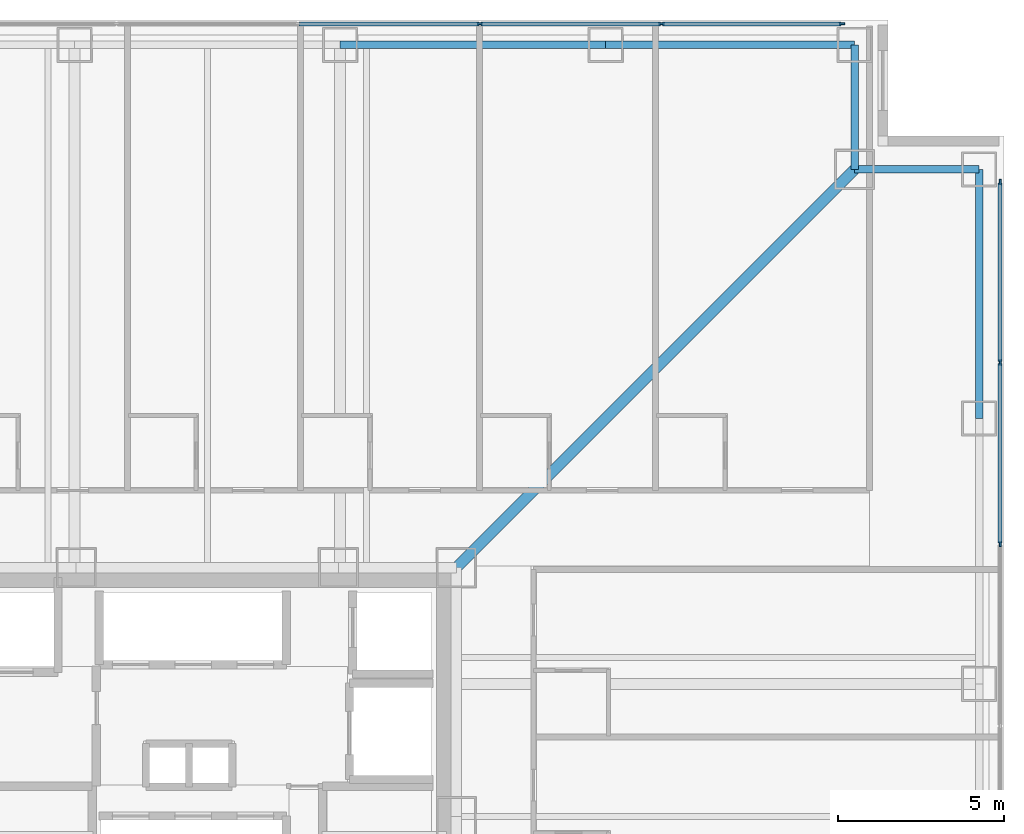
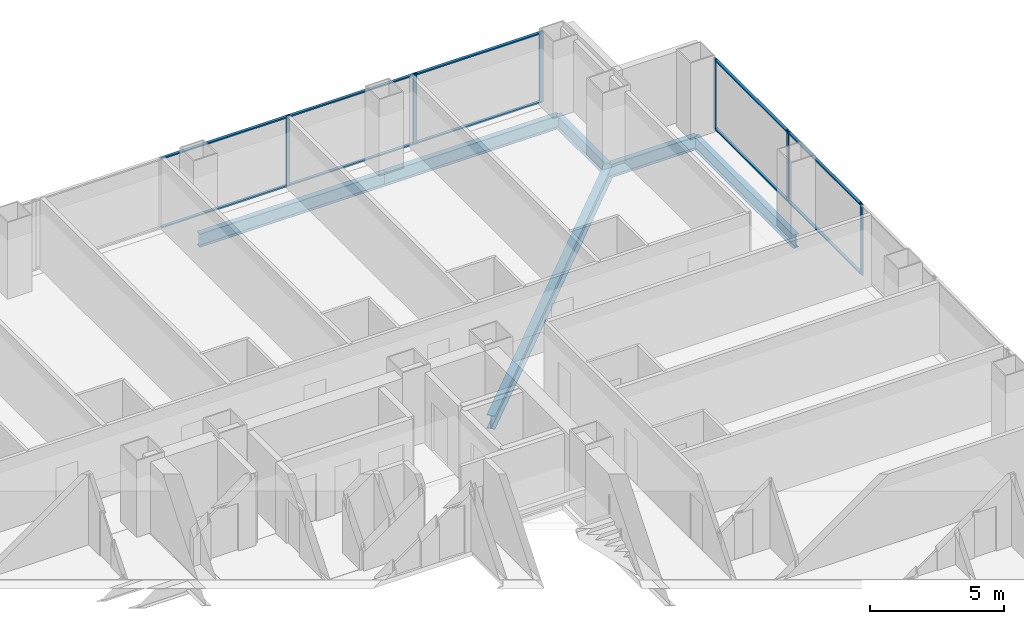
# One storey, part 9 of 16: 16 members, 6 beams, 2 elements without a shape of their own.
"""IFC4 building model written with IfcOpenShell, lengths in metres."""

from ifc_helpers import new_model, si_unit, direction, frame, origin, origin_2d, place, context, subcontext, project, spatial, rectangle, i_section, extrude, material, layer, layer_set, material_profile, profile_set, type_object, element, aggregate, save


model = new_model("IFC4")

# Units and contexts
model_context = context("Model", 3, precision=1e-05, world=origin(), true_north=direction((0.0, 1.0)))
body_context = subcontext(model_context, "Body", "Model", "MODEL_VIEW")
ifc_project = project(units=[si_unit("LENGTHUNIT", "METRE"), si_unit("AREAUNIT", "SQUARE_METRE"), si_unit("VOLUMEUNIT", "CUBIC_METRE"), si_unit("PLANEANGLEUNIT", "RADIAN"), si_unit("MASSUNIT", "GRAM", prefix="KILO")], contexts=[model_context])

# Site, building, storey
site_placement = place(None, origin())
site = spatial("IfcSite", under=ifc_project, at=site_placement, CompositionType="ELEMENT")
building_placement = place(site_placement, origin())
building = spatial("IfcBuilding", under=site, at=building_placement, Name="Trevonay Congress Spire", CompositionType="ELEMENT")
storey_placement = place(building_placement, frame((0.0, 0.0, 72.5)))
storey = spatial("IfcBuildingStorey", under=building, at=storey_placement, Name="L18", CompositionType="ELEMENT", Elevation=72.5)

# Beams
ifc_material_1 = material(Name="Steel ASTM A572 Grade 50", Category="steel")
ifc_material_profile_1 = material_profile(ifc_material_1, i_section(OverallWidth=0.324951171875, OverallDepth=0.615966796875, WebThickness=0.013916015625, FlangeThickness=0.021484375, FilletRadius=0.01806640625, at=origin_2d()), Name="W610x174")
ifc_profile_set_1 = profile_set([ifc_material_profile_1], Name="Steel ASTM A572 Grade 50")
beam_type_1 = type_object("IfcBeamType", Name="BM-GIRD-W610X174", PredefinedType="BEAM", material=ifc_profile_set_1)
beam_1_placement = place(storey_placement, frame((7.5, 7.5, -0.55810546875), z_axis=(0.707106781187, 0.707106781187, 0.0), x_axis=(-0.707106781187, 0.707106781187, 0.0)))
element("IfcBeam", 1, at=beam_1_placement, inside=storey, type_object=beam_type_1, Name="L18 structural beam BM-L18-CDNE", PredefinedType="BEAM", context=body_context, shape_type="SweptSolid", body=[
    extrude(i_section(OverallWidth=0.324951171875, OverallDepth=0.615966796875, WebThickness=0.013916015625, FlangeThickness=0.021484375, FilletRadius=0.01806640625, at=origin_2d()), origin(), (0.0, 0.0, 1.0), 16.970458984375),
])
ifc_material_profile_2 = material_profile(ifc_material_1, i_section(OverallWidth=0.22998046875, OverallDepth=0.616943359375, WebThickness=0.01318359375, FlangeThickness=0.022216796875, FilletRadius=0.01611328125, at=origin_2d()), Name="W610x140")
ifc_profile_set_2 = profile_set([ifc_material_profile_2], Name="Steel ASTM A572 Grade 50")
beam_type_2 = type_object("IfcBeamType", Name="BM-RING-W610X140", PredefinedType="BEAM", material=ifc_profile_set_2)
beam_2_placement = place(storey_placement, frame((4.0, 23.25, -0.55859375), z_axis=(1.0, 0.0, 0.0), x_axis=(0.0, 1.0, 0.0)))
element("IfcBeam", 2, at=beam_2_placement, inside=storey, type_object=beam_type_2, Name="L18 structural beam BM-L18-PN4", PredefinedType="BEAM", context=body_context, shape_type="SweptSolid", body=[
    extrude(i_section(OverallWidth=0.22998046875, OverallDepth=0.616943359375, WebThickness=0.01318359375, FlangeThickness=0.022216796875, FilletRadius=0.01611328125, at=origin_2d()), origin(), (0.0, 0.0, 1.0), 8.0),
])
for number, where, z_axis, x_axis, name in (
    (3, (12.0, 23.25, -0.55859375), (1.0, 0.0, 0.0), (0.0, 1.0, 0.0), "L18 structural beam BM-L18-PN5"),
    (4, (23.25, 12.0, -0.55859375), (0.0, 1.0, 0.0), (-1.0, 0.0, 0.0), "L18 structural beam BM-L18-PE5"),
):
    element("IfcBeam", number, at=place(storey_placement, frame(where, z_axis=z_axis, x_axis=x_axis)), inside=storey, type_object=beam_type_2, Name=name, PredefinedType="BEAM", context=body_context, shape_type="SweptSolid", body=[
        extrude(i_section(OverallWidth=0.22998046875, OverallDepth=0.616943359375, WebThickness=0.01318359375, FlangeThickness=0.022216796875, FilletRadius=0.01611328125, at=origin_2d()), origin(), (0.0, 0.0, 1.0), 7.5),
    ])
for number, where, z_axis, x_axis, name in (
    (5, (19.5, 23.25, -0.55859375), (0.0, -1.0, 0.0), (1.0, 0.0, 0.0), "L18 structural beam BM-L18-N1NE"),
    (6, (23.25, 19.5, -0.55859375), (-1.0, 0.0, 0.0), (0.0, -1.0, 0.0), "L18 structural beam BM-L18-N2NE"),
):
    element("IfcBeam", number, at=place(storey_placement, frame(where, z_axis=z_axis, x_axis=x_axis)), inside=storey, type_object=beam_type_2, Name=name, PredefinedType="BEAM", context=body_context, shape_type="SweptSolid", body=[
        extrude(i_section(OverallWidth=0.22998046875, OverallDepth=0.616943359375, WebThickness=0.01318359375, FlangeThickness=0.022216796875, FilletRadius=0.01611328125, at=origin_2d()), origin(), (0.0, 0.0, 1.0), 3.75),
    ])

# Curtain wall, members
ifc_material_2 = material(Name="Pale Anodised Aluminium EN AW-6063-T6", Category="aluminium")
ifc_layer = layer(ifc_material_2, 0.179931640625, Name="Pale Anodised Aluminium EN AW-6063-T6")
ifc_layer_set = layer_set([ifc_layer], Name="Pale Anodised Aluminium EN AW-6063-T6")
curtain_wall_type = type_object("IfcCurtainWallType", Name="CW-SYS02-HOTEL-PALE-METAL", PredefinedType="NOTDEFINED", material=ifc_layer_set)
curtain_wall_1_placement = place(storey_placement, origin())
curtain_wall_1 = element("IfcCurtainWall", 7, at=curtain_wall_1_placement, inside=storey, type_object=curtain_wall_type, Name="L18 N unitised curtain wall", PredefinedType="NOTDEFINED")
ifc_material_profile_3 = material_profile(ifc_material_2, rectangle(XDim=0.06005859375, YDim=0.159912109375, at=origin_2d()), Name="CW-MULLION-160-ALUMINIUM")
ifc_profile_set_3 = profile_set([ifc_material_profile_3], Name="Pale Anodised Aluminium EN AW-6063-T6")
member_type_1 = type_object("IfcMemberType", Name="CW-MULLION-160-ALUMINIUM", PredefinedType="MULLION", material=ifc_profile_set_3)
member_1_placement = place(storey_placement, frame((8.20703125, 23.8798828125, 0.0), z_axis=(0.0, 0.0, 1.0), x_axis=(0.0, 1.0, 0.0)))
member_1 = element("IfcMember", 8, at=member_1_placement, type_object=member_type_1, Name="CW02 mullion 6", PredefinedType="MULLION", context=body_context, shape_type="SweptSolid", body=[
    extrude(rectangle(XDim=0.06005859375, YDim=0.159912109375, at=origin_2d()), origin(), (0.0, 0.0, 1.0), 3.25),
])
member_2_placement = place(storey_placement, frame((13.678466796875, 23.8798828125, 0.0), z_axis=(0.0, 0.0, 1.0), x_axis=(0.0, 1.0, 0.0)))
member_2 = element("IfcMember", 9, at=member_2_placement, type_object=member_type_1, Name="CW02 mullion 7", PredefinedType="MULLION", context=body_context, shape_type="SweptSolid", body=[
    extrude(rectangle(XDim=0.06005859375, YDim=0.159912109375, at=origin_2d()), origin(), (0.0, 0.0, 1.0), 3.25),
])
member_3_placement = place(storey_placement, frame((19.1201171875, 23.8798828125, 0.0), z_axis=(0.0, 0.0, 1.0), x_axis=(0.0, 1.0, 0.0)))
member_3 = element("IfcMember", 10, at=member_3_placement, type_object=member_type_1, Name="CW02 mullion 8", PredefinedType="MULLION", context=body_context, shape_type="SweptSolid", body=[
    extrude(rectangle(XDim=0.06005859375, YDim=0.159912109375, at=origin_2d()), origin(), (0.0, 0.0, 1.0), 3.25),
])

curtain_wall_2_placement = place(storey_placement, origin())
curtain_wall_2 = element("IfcCurtainWall", 11, at=curtain_wall_2_placement, inside=storey, type_object=curtain_wall_type, Name="L18 E unitised curtain wall", PredefinedType="NOTDEFINED")
member_4_placement = place(storey_placement, frame((23.8798828125, 8.20703125, 0.0), z_axis=(0.0, 0.0, 1.0), x_axis=(-1.0, 0.0, 0.0)))
member_4 = element("IfcMember", 12, at=member_4_placement, type_object=member_type_1, Name="CW02 mullion 6", PredefinedType="MULLION", context=body_context, shape_type="SweptSolid", body=[
    extrude(rectangle(XDim=0.06005859375, YDim=0.159912109375, at=origin_2d()), origin(), (0.0, 0.0, 1.0), 3.25),
])
member_5_placement = place(storey_placement, frame((23.8798828125, 13.678466796875, 0.0), z_axis=(0.0, 0.0, 1.0), x_axis=(-1.0, 0.0, 0.0)))
member_5 = element("IfcMember", 13, at=member_5_placement, type_object=member_type_1, Name="CW02 mullion 7", PredefinedType="MULLION", context=body_context, shape_type="SweptSolid", body=[
    extrude(rectangle(XDim=0.06005859375, YDim=0.159912109375, at=origin_2d()), origin(), (0.0, 0.0, 1.0), 3.25),
])
member_6_placement = place(storey_placement, frame((23.8798828125, 19.1201171875, 0.0), z_axis=(0.0, 0.0, 1.0), x_axis=(-1.0, 0.0, 0.0)))
member_6 = element("IfcMember", 14, at=member_6_placement, type_object=member_type_1, Name="CW02 mullion 8", PredefinedType="MULLION", context=body_context, shape_type="SweptSolid", body=[
    extrude(rectangle(XDim=0.06005859375, YDim=0.159912109375, at=origin_2d()), origin(), (0.0, 0.0, 1.0), 3.25),
])

# Member
ifc_material_profile_4 = material_profile(ifc_material_2, rectangle(XDim=0.1201171875, YDim=0.06005859375, at=origin_2d()), Name="CW-TRANSOM-120-ALUMINIUM")
ifc_profile_set_4 = profile_set([ifc_material_profile_4], Name="Pale Anodised Aluminium EN AW-6063-T6")
member_type_2 = type_object("IfcMemberType", Name="CW-TRANSOM-120-ALUMINIUM", PredefinedType="USERDEFINED", material=ifc_profile_set_4)
member_7_placement = place(storey_placement, frame((2.765625, 23.8798828125, 0.06005859375), z_axis=(1.0, 0.0, 0.0), x_axis=(0.0, 1.0, 0.0)))
member_7 = element("IfcMember", 15, at=member_7_placement, type_object=member_type_2, Name="CW02 transom 5.1", ObjectType="TRANSOM", PredefinedType="USERDEFINED", context=body_context, shape_type="SweptSolid", body=[
    extrude(rectangle(XDim=0.1201171875, YDim=0.06005859375, at=origin_2d()), origin(), (0.0, 0.0, 1.0), 5.41162109375),
])

member_8_placement = place(storey_placement, frame((2.765625, 23.8798828125, 3.18994140625), z_axis=(1.0, 0.0, 0.0), x_axis=(0.0, 1.0, 0.0)))
member_8 = element("IfcMember", 16, at=member_8_placement, type_object=member_type_2, Name="CW02 transom 5.2", ObjectType="TRANSOM", PredefinedType="USERDEFINED", context=body_context, shape_type="SweptSolid", body=[
    extrude(rectangle(XDim=0.1201171875, YDim=0.06005859375, at=origin_2d()), origin(), (0.0, 0.0, 1.0), 5.41162109375),
])

member_9_placement = place(storey_placement, frame((8.237060546875, 23.8798828125, 0.06005859375), z_axis=(1.0, 0.0, 0.0), x_axis=(0.0, 1.0, 0.0)))
member_9 = element("IfcMember", 17, at=member_9_placement, type_object=member_type_2, Name="CW02 transom 6.1", ObjectType="TRANSOM", PredefinedType="USERDEFINED", context=body_context, shape_type="SweptSolid", body=[
    extrude(rectangle(XDim=0.1201171875, YDim=0.06005859375, at=origin_2d()), origin(), (0.0, 0.0, 1.0), 5.41162109375),
])

member_10_placement = place(storey_placement, frame((8.237060546875, 23.8798828125, 3.18994140625), z_axis=(1.0, 0.0, 0.0), x_axis=(0.0, 1.0, 0.0)))
member_10 = element("IfcMember", 18, at=member_10_placement, type_object=member_type_2, Name="CW02 transom 6.2", ObjectType="TRANSOM", PredefinedType="USERDEFINED", context=body_context, shape_type="SweptSolid", body=[
    extrude(rectangle(XDim=0.1201171875, YDim=0.06005859375, at=origin_2d()), origin(), (0.0, 0.0, 1.0), 5.41162109375),
])

member_11_placement = place(storey_placement, frame((13.70849609375, 23.8798828125, 0.06005859375), z_axis=(1.0, 0.0, 0.0), x_axis=(0.0, 1.0, 0.0)))
member_11 = element("IfcMember", 19, at=member_11_placement, type_object=member_type_2, Name="CW02 transom 7.1", ObjectType="TRANSOM", PredefinedType="USERDEFINED", context=body_context, shape_type="SweptSolid", body=[
    extrude(rectangle(XDim=0.1201171875, YDim=0.06005859375, at=origin_2d()), origin(), (0.0, 0.0, 1.0), 5.381591796875),
])

member_12_placement = place(storey_placement, frame((13.70849609375, 23.8798828125, 3.18994140625), z_axis=(1.0, 0.0, 0.0), x_axis=(0.0, 1.0, 0.0)))
member_12 = element("IfcMember", 20, at=member_12_placement, type_object=member_type_2, Name="CW02 transom 7.2", ObjectType="TRANSOM", PredefinedType="USERDEFINED", context=body_context, shape_type="SweptSolid", body=[
    extrude(rectangle(XDim=0.1201171875, YDim=0.06005859375, at=origin_2d()), origin(), (0.0, 0.0, 1.0), 5.381591796875),
])

aggregate(curtain_wall_1, [member_1, member_2, member_3, member_7, member_8, member_9, member_10, member_11, member_12])

member_13_placement = place(storey_placement, frame((23.8798828125, 8.237060546875, 0.06005859375), z_axis=(0.0, 1.0, 0.0), x_axis=(-1.0, 0.0, 0.0)))
member_13 = element("IfcMember", 21, at=member_13_placement, type_object=member_type_2, Name="CW02 transom 6.1", ObjectType="TRANSOM", PredefinedType="USERDEFINED", context=body_context, shape_type="SweptSolid", body=[
    extrude(rectangle(XDim=0.1201171875, YDim=0.06005859375, at=origin_2d()), origin(), (0.0, 0.0, 1.0), 5.41162109375),
])

member_14_placement = place(storey_placement, frame((23.8798828125, 8.237060546875, 3.18994140625), z_axis=(0.0, 1.0, 0.0), x_axis=(-1.0, 0.0, 0.0)))
member_14 = element("IfcMember", 22, at=member_14_placement, type_object=member_type_2, Name="CW02 transom 6.2", ObjectType="TRANSOM", PredefinedType="USERDEFINED", context=body_context, shape_type="SweptSolid", body=[
    extrude(rectangle(XDim=0.1201171875, YDim=0.06005859375, at=origin_2d()), origin(), (0.0, 0.0, 1.0), 5.41162109375),
])

member_15_placement = place(storey_placement, frame((23.8798828125, 13.70849609375, 0.06005859375), z_axis=(0.0, 1.0, 0.0), x_axis=(-1.0, 0.0, 0.0)))
member_15 = element("IfcMember", 23, at=member_15_placement, type_object=member_type_2, Name="CW02 transom 7.1", ObjectType="TRANSOM", PredefinedType="USERDEFINED", context=body_context, shape_type="SweptSolid", body=[
    extrude(rectangle(XDim=0.1201171875, YDim=0.06005859375, at=origin_2d()), origin(), (0.0, 0.0, 1.0), 5.381591796875),
])

member_16_placement = place(storey_placement, frame((23.8798828125, 13.70849609375, 3.18994140625), z_axis=(0.0, 1.0, 0.0), x_axis=(-1.0, 0.0, 0.0)))
member_16 = element("IfcMember", 24, at=member_16_placement, type_object=member_type_2, Name="CW02 transom 7.2", ObjectType="TRANSOM", PredefinedType="USERDEFINED", context=body_context, shape_type="SweptSolid", body=[
    extrude(rectangle(XDim=0.1201171875, YDim=0.06005859375, at=origin_2d()), origin(), (0.0, 0.0, 1.0), 5.381591796875),
])

aggregate(curtain_wall_2, [member_4, member_5, member_6, member_13, member_14, member_15, member_16])

save(model, "model.ifc")
